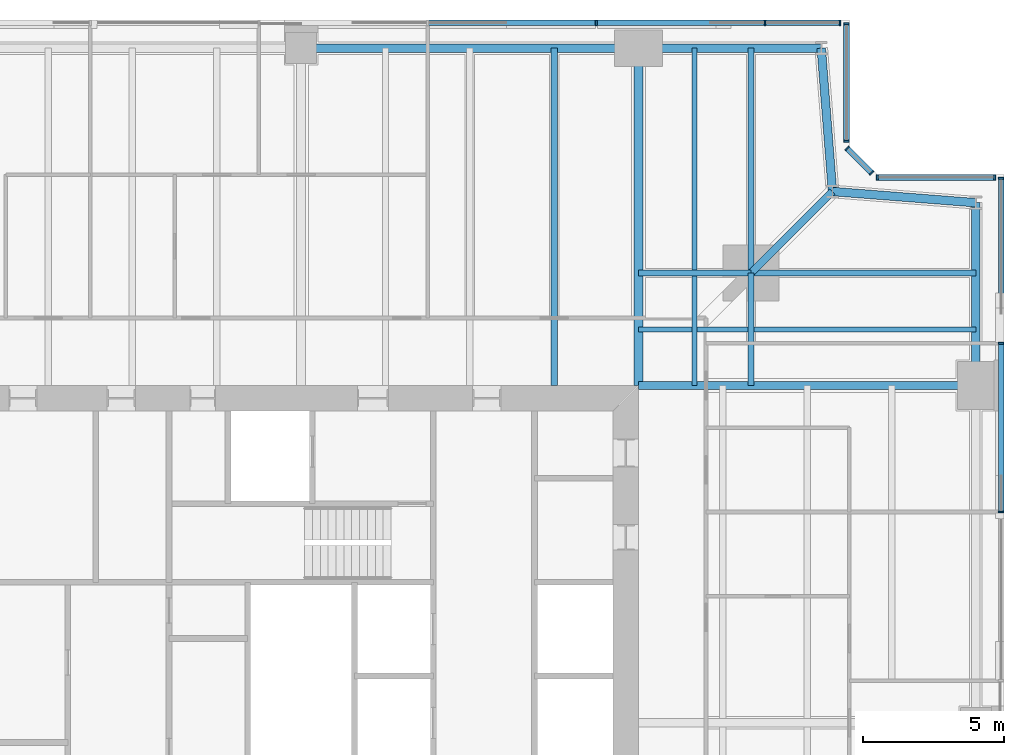
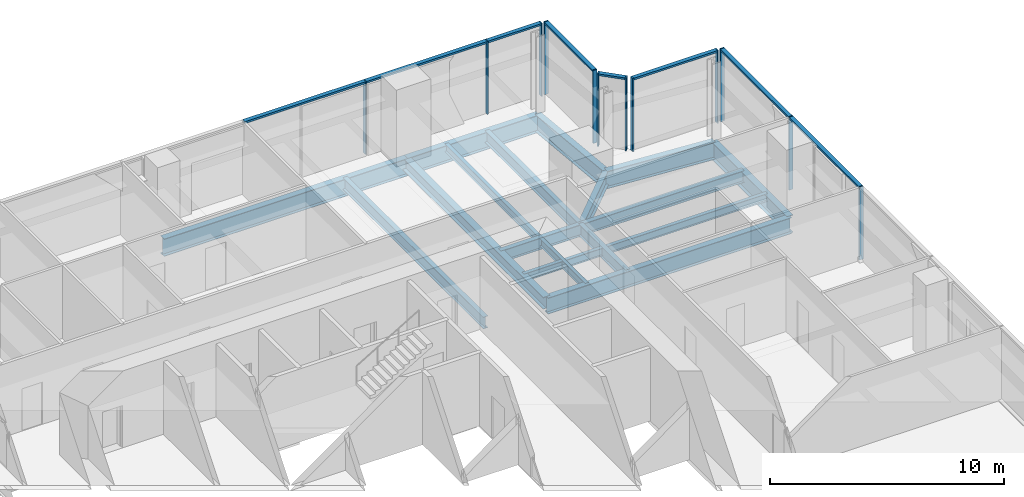
# One storey, part 7 of 15: 20 members, 18 beams, 5 elements without a shape of their own.
"""IFC4 building model written with IfcOpenShell, lengths in metres."""

from ifc_helpers import new_model, si_unit, direction, frame, origin, origin_2d, place, context, subcontext, project, spatial, rectangle, i_section, extrude, material, material_profile, profile_set, type_object, element, aggregate, save


model = new_model("IFC4")

# Units and contexts
model_context = context("Model", 3, precision=1e-05, world=origin(), true_north=direction((0.0, 1.0)))
body_context = subcontext(model_context, "Body", "Model", "MODEL_VIEW")
ifc_project = project(units=[si_unit("LENGTHUNIT", "METRE"), si_unit("AREAUNIT", "SQUARE_METRE"), si_unit("VOLUMEUNIT", "CUBIC_METRE"), si_unit("PLANEANGLEUNIT", "RADIAN"), si_unit("MASSUNIT", "GRAM", prefix="KILO")], contexts=[model_context])

# Site, building, storey
site_placement = place(None, origin())
site = spatial("IfcSite", under=ifc_project, at=site_placement, CompositionType="ELEMENT")
building_placement = place(site_placement, origin())
building = spatial("IfcBuilding", under=site, at=building_placement, Name="Fenwick Lantern Interchange", CompositionType="ELEMENT")
storey_placement = place(building_placement, frame((0.0, 0.0, 229.800048828125)))
storey = spatial("IfcBuildingStorey", under=building, at=storey_placement, Name="L54", CompositionType="ELEMENT", Elevation=229.800048828125)

# Beams
ifc_material_1 = material(Name="Steel ASTM A992 Grade 50", Category="steel")
ifc_material_profile_1 = material_profile(ifc_material_1, i_section(OverallWidth=0.3046875, OverallDepth=0.911865234375, WebThickness=0.015869140625, FlangeThickness=0.02392578125, at=origin_2d()), Name="W36X150")
ifc_profile_set_1 = profile_set([ifc_material_profile_1], Name="Steel ASTM A992 Grade 50")
beam_type_1 = type_object("IfcBeamType", Name="EDGE BEAM W36X150", PredefinedType="SPANDREL", material=ifc_profile_set_1)
beam_1_placement = place(storey_placement, frame((49.0, 37.0, -0.60595703125), z_axis=(0.0, 1.0, 0.0), x_axis=(-1.0, 0.0, 0.0)))
element("IfcBeam", 1, at=beam_1_placement, inside=storey, type_object=beam_type_1, Name="L54/FR/E/EB4", PredefinedType="SPANDREL", context=body_context, shape_type="SweptSolid", body=[
    extrude(i_section(OverallWidth=0.3046875, OverallDepth=0.911865234375, WebThickness=0.015869140625, FlangeThickness=0.02392578125, at=origin_2d()), origin(), (0.0, 0.0, 1.0), 6.5),
])
for number, where, z_axis, x_axis, name in (
    (2, (49.0, 43.5, -0.60595703125), (-0.99693998236, 0.078170784639, 0.0), (-0.078170784639, -0.99693998236, 0.0), "L54/FR/E/EBR1"),
    (3, (43.89990234375, 43.89990234375, -0.60595703125), (-0.078170784639, 0.99693998236, 0.0), (-0.99693998236, -0.078170784639, 0.0), "L54/FR/E/EBR2"),
):
    element("IfcBeam", number, at=place(storey_placement, frame(where, z_axis=z_axis, x_axis=x_axis)), inside=storey, type_object=beam_type_1, Name=name, PredefinedType="SPANDREL", context=body_context, shape_type="SweptSolid", body=[
        extrude(i_section(OverallWidth=0.3046875, OverallDepth=0.911865234375, WebThickness=0.015869140625, FlangeThickness=0.02392578125, at=origin_2d()), origin(), (0.0, 0.0, 1.0), 5.11572265625),
    ])
beam_2_placement = place(storey_placement, frame((43.5, 49.0, -0.60595703125), z_axis=(-1.0, 0.0, 0.0), x_axis=(0.0, -1.0, 0.0)))
element("IfcBeam", 4, at=beam_2_placement, inside=storey, type_object=beam_type_1, Name="L54/FR/N/EB1", PredefinedType="SPANDREL", context=body_context, shape_type="SweptSolid", body=[
    extrude(i_section(OverallWidth=0.3046875, OverallDepth=0.911865234375, WebThickness=0.015869140625, FlangeThickness=0.02392578125, at=origin_2d()), origin(), (0.0, 0.0, 1.0), 6.5),
])
beam_3_placement = place(storey_placement, frame((37.0, 49.0, -0.60595703125), z_axis=(-1.0, 0.0, 0.0), x_axis=(0.0, -1.0, 0.0)))
element("IfcBeam", 5, at=beam_3_placement, inside=storey, type_object=beam_type_1, Name="L54/FR/N/EB2", PredefinedType="SPANDREL", context=body_context, shape_type="SweptSolid", body=[
    extrude(i_section(OverallWidth=0.3046875, OverallDepth=0.911865234375, WebThickness=0.015869140625, FlangeThickness=0.02392578125, at=origin_2d()), origin(), (0.0, 0.0, 1.0), 12.0),
])
ifc_material_profile_2 = material_profile(ifc_material_1, i_section(OverallWidth=0.22900390625, OverallDepth=0.612060546875, WebThickness=0.011962890625, FlangeThickness=0.01953125, at=origin_2d()), Name="W24X84")
ifc_profile_set_2 = profile_set([ifc_material_profile_2], Name="Steel ASTM A992 Grade 50")
beam_type_2 = type_object("IfcBeamType", Name="FLOOR BEAM W24X84", PredefinedType="BEAM", material=ifc_profile_set_2)
beam_4_placement = place(storey_placement, frame((34.0, 49.0, -0.4560546875), z_axis=(0.0, -1.0, 0.0), x_axis=(1.0, 0.0, 0.0)))
element("IfcBeam", 6, at=beam_4_placement, inside=storey, type_object=beam_type_2, Name="L54/FR/N/R02", PredefinedType="BEAM", context=body_context, shape_type="SweptSolid", body=[
    extrude(i_section(OverallWidth=0.22900390625, OverallDepth=0.612060546875, WebThickness=0.011962890625, FlangeThickness=0.01953125, at=origin_2d()), origin(), (0.0, 0.0, 1.0), 12.0),
])
ifc_material_profile_3 = material_profile(ifc_material_1, i_section(OverallWidth=0.177734375, OverallDepth=0.406494140625, WebThickness=0.0078125, FlangeThickness=0.012939453125, at=origin_2d()), Name="W16X40")
ifc_profile_set_3 = profile_set([ifc_material_profile_3], Name="Steel ASTM A992 Grade 50")
beam_type_3 = type_object("IfcBeamType", Name="INFILL BEAM W16X40", PredefinedType="JOIST", material=ifc_profile_set_3)
beam_5_placement = place(storey_placement, frame((39.0, 49.0, -0.353271484375), z_axis=(0.0, -1.0, 0.0), x_axis=(1.0, 0.0, 0.0)))
element("IfcBeam", 7, at=beam_5_placement, inside=storey, type_object=beam_type_3, Name="L54/FR/N/J1", PredefinedType="JOIST", context=body_context, shape_type="SweptSolid", body=[
    extrude(i_section(OverallWidth=0.177734375, OverallDepth=0.406494140625, WebThickness=0.0078125, FlangeThickness=0.012939453125, at=origin_2d()), origin(), (0.0, 0.0, 1.0), 7.885498046875),
])
beam_6_placement = place(storey_placement, frame((39.0, 40.885498046875, -0.353271484375), z_axis=(0.0, -1.0, 0.0), x_axis=(1.0, 0.0, 0.0)))
element("IfcBeam", 8, at=beam_6_placement, inside=storey, type_object=beam_type_3, Name="L54/FR/N/J2", PredefinedType="JOIST", context=body_context, shape_type="SweptSolid", body=[
    extrude(i_section(OverallWidth=0.177734375, OverallDepth=0.406494140625, WebThickness=0.0078125, FlangeThickness=0.012939453125, at=origin_2d()), origin(), (0.0, 0.0, 1.0), 3.885498046875),
])
beam_7_placement = place(storey_placement, frame((49.0, 39.0, -0.353271484375), z_axis=(-1.0, 0.0, 0.0), x_axis=(0.0, -1.0, 0.0)))
element("IfcBeam", 9, at=beam_7_placement, inside=storey, type_object=beam_type_3, Name="L54/FR/N/J3", PredefinedType="JOIST", context=body_context, shape_type="SweptSolid", body=[
    extrude(i_section(OverallWidth=0.177734375, OverallDepth=0.406494140625, WebThickness=0.0078125, FlangeThickness=0.012939453125, at=origin_2d()), origin(), (0.0, 0.0, 1.0), 7.885498046875),
])
beam_8_placement = place(storey_placement, frame((40.885498046875, 39.0, -0.353271484375), z_axis=(-1.0, 0.0, 0.0), x_axis=(0.0, -1.0, 0.0)))
element("IfcBeam", 10, at=beam_8_placement, inside=storey, type_object=beam_type_3, Name="L54/FR/N/J4", PredefinedType="JOIST", context=body_context, shape_type="SweptSolid", body=[
    extrude(i_section(OverallWidth=0.177734375, OverallDepth=0.406494140625, WebThickness=0.0078125, FlangeThickness=0.012939453125, at=origin_2d()), origin(), (0.0, 0.0, 1.0), 1.796630859375),
])
beam_9_placement = place(storey_placement, frame((38.9111328125, 39.0, -0.353271484375), z_axis=(-1.0, 0.0, 0.0), x_axis=(0.0, -1.0, 0.0)))
element("IfcBeam", 11, at=beam_9_placement, inside=storey, type_object=beam_type_3, Name="L54/FR/N/J5", PredefinedType="JOIST", context=body_context, shape_type="SweptSolid", body=[
    extrude(i_section(OverallWidth=0.177734375, OverallDepth=0.406494140625, WebThickness=0.0078125, FlangeThickness=0.012939453125, at=origin_2d()), origin(), (0.0, 0.0, 1.0), 1.9111328125),
])
ifc_material_profile_4 = material_profile(ifc_material_1, i_section(OverallWidth=0.22900390625, OverallDepth=0.612060546875, WebThickness=0.011962890625, FlangeThickness=0.01953125, at=origin_2d()), Name="W24X84")
ifc_profile_set_4 = profile_set([ifc_material_profile_4], Name="Steel ASTM A992 Grade 50")
beam_type_4 = type_object("IfcBeamType", Name="MEGA COLUMN BEAM W24X84", PredefinedType="BEAM", material=ifc_profile_set_4)
for number, where, z_axis, x_axis, name in (
    (12, (41.0, 41.0, -0.4560546875), (0.0, 1.0, 0.0), (-1.0, 0.0, 0.0), "L54/FR/N/MB1"),
    (13, (41.0, 41.0, -0.4560546875), (1.0, 0.0, 0.0), (0.0, 1.0, 0.0), "L54/FR/N/MB2"),
):
    element("IfcBeam", number, at=place(storey_placement, frame(where, z_axis=z_axis, x_axis=x_axis)), inside=storey, type_object=beam_type_4, Name=name, PredefinedType="BEAM", context=body_context, shape_type="SweptSolid", body=[
        extrude(i_section(OverallWidth=0.22900390625, OverallDepth=0.612060546875, WebThickness=0.011962890625, FlangeThickness=0.01953125, at=origin_2d()), origin(), (0.0, 0.0, 1.0), 8.0),
    ])
for number, where, z_axis, x_axis, name in (
    (14, (41.0, 41.0, -0.4560546875), (-1.0, 0.0, 0.0), (0.0, -1.0, 0.0), "L54/FR/N/MB3"),
    (15, (41.0, 41.0, -0.4560546875), (0.0, -1.0, 0.0), (1.0, 0.0, 0.0), "L54/FR/N/MB4"),
):
    element("IfcBeam", number, at=place(storey_placement, frame(where, z_axis=z_axis, x_axis=x_axis)), inside=storey, type_object=beam_type_4, Name=name, PredefinedType="BEAM", context=body_context, shape_type="SweptSolid", body=[
        extrude(i_section(OverallWidth=0.22900390625, OverallDepth=0.612060546875, WebThickness=0.011962890625, FlangeThickness=0.01953125, at=origin_2d()), origin(), (0.0, 0.0, 1.0), 4.0),
    ])
ifc_material_profile_5 = material_profile(ifc_material_1, i_section(OverallWidth=0.32763671875, OverallDepth=0.622314453125, WebThickness=0.015380859375, FlangeThickness=0.0244140625, at=origin_2d()), Name="W24X131")
ifc_profile_set_5 = profile_set([ifc_material_profile_5], Name="Steel ASTM A992 Grade 50")
beam_type_5 = type_object("IfcBeamType", Name="MOMENT-CONNECTED GIRDER W24X131", PredefinedType="BEAM", material=ifc_profile_set_5)
beam_10_placement = place(storey_placement, frame((37.0, 49.0, -0.461181640625), z_axis=(0.0, -1.0, 0.0), x_axis=(1.0, 0.0, 0.0)))
element("IfcBeam", 16, at=beam_10_placement, inside=storey, type_object=beam_type_5, Name="L54/FR/N/R01", PredefinedType="BEAM", context=body_context, shape_type="SweptSolid", body=[
    extrude(i_section(OverallWidth=0.32763671875, OverallDepth=0.622314453125, WebThickness=0.015380859375, FlangeThickness=0.0244140625, at=origin_2d()), origin(), (0.0, 0.0, 1.0), 12.0),
])
ifc_material_profile_6 = material_profile(ifc_material_1, i_section(OverallWidth=0.2919921875, OverallDepth=0.845703125, WebThickness=0.015380859375, FlangeThickness=0.0244140625, at=origin_2d()), Name="W33X141")
ifc_profile_set_6 = profile_set([ifc_material_profile_6], Name="Steel ASTM A992 Grade 50")
beam_type_6 = type_object("IfcBeamType", Name="MOMENT-CONNECTED GIRDER W33X141", PredefinedType="BEAM", material=ifc_profile_set_6)
beam_11_placement = place(storey_placement, frame((49.0, 37.0, -0.572998046875), z_axis=(-1.0, 0.0, 0.0), x_axis=(0.0, -1.0, 0.0)))
element("IfcBeam", 17, at=beam_11_placement, inside=storey, type_object=beam_type_6, Name="L54/FR/E/R03", PredefinedType="BEAM", context=body_context, shape_type="SweptSolid", body=[
    extrude(i_section(OverallWidth=0.2919921875, OverallDepth=0.845703125, WebThickness=0.015380859375, FlangeThickness=0.0244140625, at=origin_2d()), origin(), (0.0, 0.0, 1.0), 12.0),
])
ifc_material_profile_7 = material_profile(ifc_material_1, i_section(OverallWidth=0.2666015625, OverallDepth=0.7568359375, WebThickness=0.013916015625, FlangeThickness=0.019287109375, at=origin_2d()), Name="W30X108")
ifc_profile_set_7 = profile_set([ifc_material_profile_7], Name="Steel ASTM A992 Grade 50")
beam_type_7 = type_object("IfcBeamType", Name="NOTCH BEAM W30X108", PredefinedType="BEAM", material=ifc_profile_set_7)
beam_12_placement = place(storey_placement, frame((41.0, 41.0, -0.528564453125), z_axis=(0.707106781187, 0.707106781187, 0.0), x_axis=(-0.707106781187, 0.707106781187, 0.0)))
element("IfcBeam", 18, at=beam_12_placement, inside=storey, type_object=beam_type_7, Name="L54/FR/N/TG", PredefinedType="BEAM", context=body_context, shape_type="SweptSolid", body=[
    extrude(i_section(OverallWidth=0.2666015625, OverallDepth=0.7568359375, WebThickness=0.013916015625, FlangeThickness=0.019287109375, at=origin_2d()), origin(), (0.0, 0.0, 1.0), 4.10107421875),
])

# Curtain wall, members
ifc_material_2 = material(Name="Aluminium curtain wall frame", Category="aluminium")
curtain_wall_type = type_object("IfcCurtainWallType", Name="OFFICE CURTAIN WALL", PredefinedType="USERDEFINED", material=ifc_material_2)
curtain_wall_1_placement = place(storey_placement, origin())
curtain_wall_1 = element("IfcCurtainWall", 19, at=curtain_wall_1_placement, inside=storey, type_object=curtain_wall_type, Name="Office curtain wall 05", ObjectType="OFFICE CURTAIN WALL", PredefinedType="USERDEFINED")
ifc_material_3 = material(Name="Aluminium extrusion", Category="aluminium")
ifc_material_profile_8 = material_profile(ifc_material_3, rectangle(XDim=0.199951171875, YDim=0.06494140625, at=origin_2d()), Name="OFFICE CURTAIN WALL MULLION 65 X 200")
ifc_profile_set_8 = profile_set([ifc_material_profile_8], Name="Aluminium extrusion")
member_type_1 = type_object("IfcMemberType", Name="OFFICE CURTAIN WALL MULLION 65 X 200", PredefinedType="MULLION", material=ifc_profile_set_8)
member_1_placement = place(storey_placement, frame((49.89990234375, 32.5, 0.0), z_axis=(0.0, 0.0, 1.0), x_axis=(-1.0, 0.0, 0.0)))
member_1 = element("IfcMember", 20, at=member_1_placement, type_object=member_type_1, Name="L54/CW/05/M05", PredefinedType="MULLION", context=body_context, shape_type="SweptSolid", body=[
    extrude(rectangle(XDim=0.199951171875, YDim=0.06494140625, at=origin_2d()), origin(), (0.0, 0.0, 1.0), 3.800048828125),
])
member_2_placement = place(storey_placement, frame((49.89990234375, 38.5, 0.0), z_axis=(0.0, 0.0, 1.0), x_axis=(-1.0, 0.0, 0.0)))
member_2 = element("IfcMember", 21, at=member_2_placement, type_object=member_type_1, Name="L54/CW/05/M06", PredefinedType="MULLION", context=body_context, shape_type="SweptSolid", body=[
    extrude(rectangle(XDim=0.199951171875, YDim=0.06494140625, at=origin_2d()), origin(), (0.0, 0.0, 1.0), 3.800048828125),
])
member_3_placement = place(storey_placement, frame((49.89990234375, 44.367431640625, 0.0), z_axis=(0.0, 0.0, 1.0), x_axis=(-1.0, 0.0, 0.0)))
member_3 = element("IfcMember", 22, at=member_3_placement, type_object=member_type_1, Name="L54/CW/05/M07", PredefinedType="MULLION", context=body_context, shape_type="SweptSolid", body=[
    extrude(rectangle(XDim=0.199951171875, YDim=0.06494140625, at=origin_2d()), origin(), (0.0, 0.0, 1.0), 3.800048828125),
])

curtain_wall_2_placement = place(storey_placement, origin())
curtain_wall_2 = element("IfcCurtainWall", 23, at=curtain_wall_2_placement, inside=storey, type_object=curtain_wall_type, Name="Office curtain wall 06", ObjectType="OFFICE CURTAIN WALL", PredefinedType="USERDEFINED")
member_4_placement = place(storey_placement, frame((49.66748046875, 44.39990234375, 0.0), z_axis=(0.0, 0.0, 1.0), x_axis=(0.0, -1.0, 0.0)))
member_4 = element("IfcMember", 24, at=member_4_placement, type_object=member_type_1, Name="L54/CW/06/M00", PredefinedType="MULLION", context=body_context, shape_type="SweptSolid", body=[
    extrude(rectangle(XDim=0.199951171875, YDim=0.06494140625, at=origin_2d()), origin(), (0.0, 0.0, 1.0), 3.800048828125),
])
member_5_placement = place(storey_placement, frame((45.490966796875, 44.39990234375, 0.0), z_axis=(0.0, 0.0, 1.0), x_axis=(0.0, -1.0, 0.0)))
member_5 = element("IfcMember", 25, at=member_5_placement, type_object=member_type_1, Name="L54/CW/06/M01", PredefinedType="MULLION", context=body_context, shape_type="SweptSolid", body=[
    extrude(rectangle(XDim=0.199951171875, YDim=0.06494140625, at=origin_2d()), origin(), (0.0, 0.0, 1.0), 3.800048828125),
])

curtain_wall_3_placement = place(storey_placement, origin())
curtain_wall_3 = element("IfcCurtainWall", 26, at=curtain_wall_3_placement, inside=storey, type_object=curtain_wall_type, Name="Office curtain wall 07", ObjectType="OFFICE CURTAIN WALL", PredefinedType="USERDEFINED")
member_6_placement = place(storey_placement, frame((45.294189453125, 44.564453125, 0.0), z_axis=(0.0, 0.0, 1.0), x_axis=(-0.707106781187, -0.707106781187, 0.0)))
member_6 = element("IfcMember", 27, at=member_6_placement, type_object=member_type_1, Name="L54/CW/07/M00", PredefinedType="MULLION", context=body_context, shape_type="SweptSolid", body=[
    extrude(rectangle(XDim=0.199951171875, YDim=0.06494140625, at=origin_2d()), origin(), (0.0, 0.0, 1.0), 3.800048828125),
])
member_7_placement = place(storey_placement, frame((44.423095703125, 45.435546875, 0.0), z_axis=(0.0, 0.0, 1.0), x_axis=(-0.707106781187, -0.707106781187, 0.0)))
member_7 = element("IfcMember", 28, at=member_7_placement, type_object=member_type_1, Name="L54/CW/07/M01", PredefinedType="MULLION", context=body_context, shape_type="SweptSolid", body=[
    extrude(rectangle(XDim=0.199951171875, YDim=0.06494140625, at=origin_2d()), origin(), (0.0, 0.0, 1.0), 3.800048828125),
])

curtain_wall_4_placement = place(storey_placement, origin())
curtain_wall_4 = element("IfcCurtainWall", 29, at=curtain_wall_4_placement, inside=storey, type_object=curtain_wall_type, Name="Office curtain wall 08", ObjectType="OFFICE CURTAIN WALL", PredefinedType="USERDEFINED")
member_8_placement = place(storey_placement, frame((44.39990234375, 45.691162109375, 0.0), z_axis=(0.0, 0.0, 1.0), x_axis=(-1.0, 0.0, 0.0)))
member_8 = element("IfcMember", 30, at=member_8_placement, type_object=member_type_1, Name="L54/CW/08/M00", PredefinedType="MULLION", context=body_context, shape_type="SweptSolid", body=[
    extrude(rectangle(XDim=0.199951171875, YDim=0.06494140625, at=origin_2d()), origin(), (0.0, 0.0, 1.0), 3.800048828125),
])
member_9_placement = place(storey_placement, frame((44.39990234375, 49.867431640625, 0.0), z_axis=(0.0, 0.0, 1.0), x_axis=(-1.0, 0.0, 0.0)))
member_9 = element("IfcMember", 31, at=member_9_placement, type_object=member_type_1, Name="L54/CW/08/M01", PredefinedType="MULLION", context=body_context, shape_type="SweptSolid", body=[
    extrude(rectangle(XDim=0.199951171875, YDim=0.06494140625, at=origin_2d()), origin(), (0.0, 0.0, 1.0), 3.800048828125),
])

curtain_wall_5_placement = place(storey_placement, origin())
curtain_wall_5 = element("IfcCurtainWall", 32, at=curtain_wall_5_placement, inside=storey, type_object=curtain_wall_type, Name="Office curtain wall 09", ObjectType="OFFICE CURTAIN WALL", PredefinedType="USERDEFINED")
member_10_placement = place(storey_placement, frame((44.16748046875, 49.89990234375, 0.0), z_axis=(0.0, 0.0, 1.0), x_axis=(0.0, -1.0, 0.0)))
member_10 = element("IfcMember", 33, at=member_10_placement, type_object=member_type_1, Name="L54/CW/09/M00", PredefinedType="MULLION", context=body_context, shape_type="SweptSolid", body=[
    extrude(rectangle(XDim=0.199951171875, YDim=0.06494140625, at=origin_2d()), origin(), (0.0, 0.0, 1.0), 3.800048828125),
])
member_11_placement = place(storey_placement, frame((41.5, 49.89990234375, 0.0), z_axis=(0.0, 0.0, 1.0), x_axis=(0.0, -1.0, 0.0)))
member_11 = element("IfcMember", 34, at=member_11_placement, type_object=member_type_1, Name="L54/CW/09/M01", PredefinedType="MULLION", context=body_context, shape_type="SweptSolid", body=[
    extrude(rectangle(XDim=0.199951171875, YDim=0.06494140625, at=origin_2d()), origin(), (0.0, 0.0, 1.0), 3.800048828125),
])
member_12_placement = place(storey_placement, frame((35.5, 49.89990234375, 0.0), z_axis=(0.0, 0.0, 1.0), x_axis=(0.0, -1.0, 0.0)))
member_12 = element("IfcMember", 35, at=member_12_placement, type_object=member_type_1, Name="L54/CW/09/M02", PredefinedType="MULLION", context=body_context, shape_type="SweptSolid", body=[
    extrude(rectangle(XDim=0.199951171875, YDim=0.06494140625, at=origin_2d()), origin(), (0.0, 0.0, 1.0), 3.800048828125),
])

# Member
ifc_material_profile_9 = material_profile(ifc_material_3, rectangle(XDim=0.199951171875, YDim=0.10009765625, at=origin_2d()), Name="OFFICE CURTAIN WALL TRANSOM 100 X 200")
ifc_profile_set_9 = profile_set([ifc_material_profile_9], Name="Aluminium extrusion")
member_type_2 = type_object("IfcMemberType", Name="OFFICE CURTAIN WALL TRANSOM 100 X 200", PredefinedType="MULLION", material=ifc_profile_set_9)
member_13_placement = place(storey_placement, frame((49.89990234375, 32.532470703125, 3.75), z_axis=(0.0, 1.0, 0.0), x_axis=(-1.0, 0.0, 0.0)))
member_13 = element("IfcMember", 36, at=member_13_placement, type_object=member_type_2, Name="L54/CW/05/T05", PredefinedType="MULLION", context=body_context, shape_type="SweptSolid", body=[
    extrude(rectangle(XDim=0.199951171875, YDim=0.10009765625, at=origin_2d()), origin(), (0.0, 0.0, 1.0), 5.93505859375),
])

member_14_placement = place(storey_placement, frame((49.89990234375, 38.532470703125, 3.75), z_axis=(0.0, 1.0, 0.0), x_axis=(-1.0, 0.0, 0.0)))
member_14 = element("IfcMember", 37, at=member_14_placement, type_object=member_type_2, Name="L54/CW/05/T06", PredefinedType="MULLION", context=body_context, shape_type="SweptSolid", body=[
    extrude(rectangle(XDim=0.199951171875, YDim=0.10009765625, at=origin_2d()), origin(), (0.0, 0.0, 1.0), 5.802490234375),
])

aggregate(curtain_wall_1, [member_1, member_2, member_3, member_13, member_14])

member_15_placement = place(storey_placement, frame((49.635009765625, 44.39990234375, 3.75), z_axis=(-1.0, 0.0, 0.0), x_axis=(0.0, -1.0, 0.0)))
member_15 = element("IfcMember", 38, at=member_15_placement, type_object=member_type_2, Name="L54/CW/06/T00", PredefinedType="MULLION", context=body_context, shape_type="SweptSolid", body=[
    extrude(rectangle(XDim=0.199951171875, YDim=0.10009765625, at=origin_2d()), origin(), (0.0, 0.0, 1.0), 4.111328125),
])

aggregate(curtain_wall_2, [member_4, member_5, member_15])

member_16_placement = place(storey_placement, frame((45.271240234375, 44.58740234375, 3.75), z_axis=(-0.707106781187, 0.707106781187, 0.0), x_axis=(-0.707106781187, -0.707106781187, 0.0)))
member_16 = element("IfcMember", 39, at=member_16_placement, type_object=member_type_2, Name="L54/CW/07/T00", PredefinedType="MULLION", context=body_context, shape_type="SweptSolid", body=[
    extrude(rectangle(XDim=0.199951171875, YDim=0.10009765625, at=origin_2d()), origin(), (0.0, 0.0, 1.0), 1.1669921875),
])

aggregate(curtain_wall_3, [member_6, member_7, member_16])

member_17_placement = place(storey_placement, frame((44.39990234375, 45.7236328125, 3.75), z_axis=(0.0, 1.0, 0.0), x_axis=(-1.0, 0.0, 0.0)))
member_17 = element("IfcMember", 40, at=member_17_placement, type_object=member_type_2, Name="L54/CW/08/T00", PredefinedType="MULLION", context=body_context, shape_type="SweptSolid", body=[
    extrude(rectangle(XDim=0.199951171875, YDim=0.10009765625, at=origin_2d()), origin(), (0.0, 0.0, 1.0), 4.111328125),
])

aggregate(curtain_wall_4, [member_8, member_9, member_17])

member_18_placement = place(storey_placement, frame((44.135009765625, 49.89990234375, 3.75), z_axis=(-1.0, 0.0, 0.0), x_axis=(0.0, -1.0, 0.0)))
member_18 = element("IfcMember", 41, at=member_18_placement, type_object=member_type_2, Name="L54/CW/09/T00", PredefinedType="MULLION", context=body_context, shape_type="SweptSolid", body=[
    extrude(rectangle(XDim=0.199951171875, YDim=0.10009765625, at=origin_2d()), origin(), (0.0, 0.0, 1.0), 2.6025390625),
])

member_19_placement = place(storey_placement, frame((41.467529296875, 49.89990234375, 3.75), z_axis=(-1.0, 0.0, 0.0), x_axis=(0.0, -1.0, 0.0)))
member_19 = element("IfcMember", 42, at=member_19_placement, type_object=member_type_2, Name="L54/CW/09/T01", PredefinedType="MULLION", context=body_context, shape_type="SweptSolid", body=[
    extrude(rectangle(XDim=0.199951171875, YDim=0.10009765625, at=origin_2d()), origin(), (0.0, 0.0, 1.0), 5.93505859375),
])

member_20_placement = place(storey_placement, frame((35.467529296875, 49.89990234375, 3.75), z_axis=(-1.0, 0.0, 0.0), x_axis=(0.0, -1.0, 0.0)))
member_20 = element("IfcMember", 43, at=member_20_placement, type_object=member_type_2, Name="L54/CW/09/T02", PredefinedType="MULLION", context=body_context, shape_type="SweptSolid", body=[
    extrude(rectangle(XDim=0.199951171875, YDim=0.10009765625, at=origin_2d()), origin(), (0.0, 0.0, 1.0), 5.93505859375),
])

aggregate(curtain_wall_5, [member_10, member_11, member_12, member_18, member_19, member_20])

save(model, "model.ifc")
